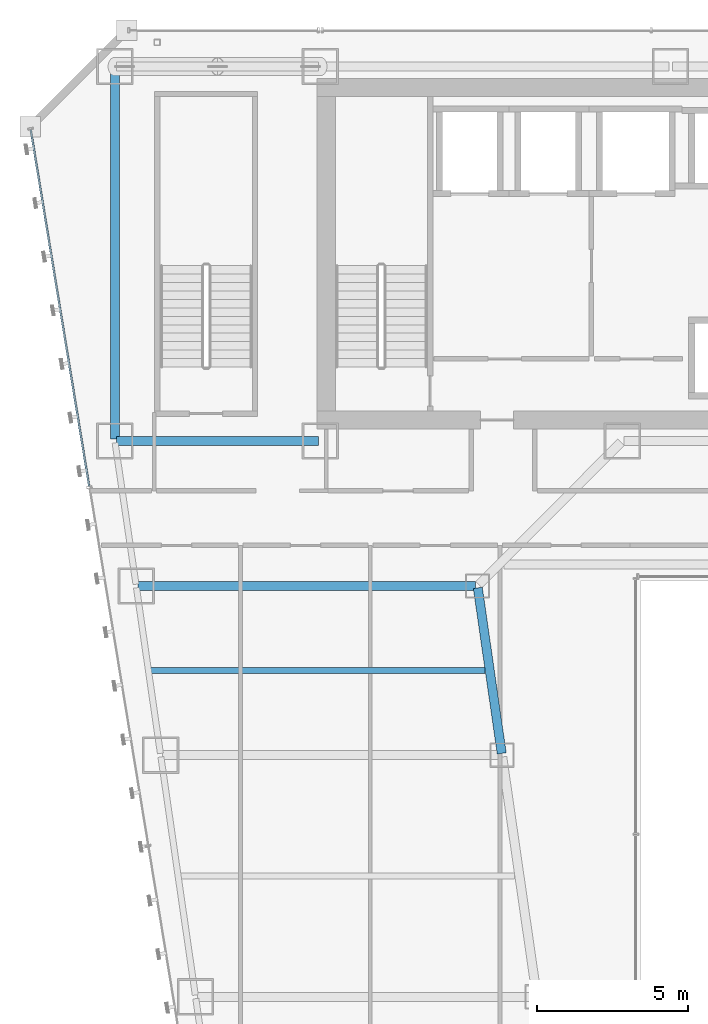
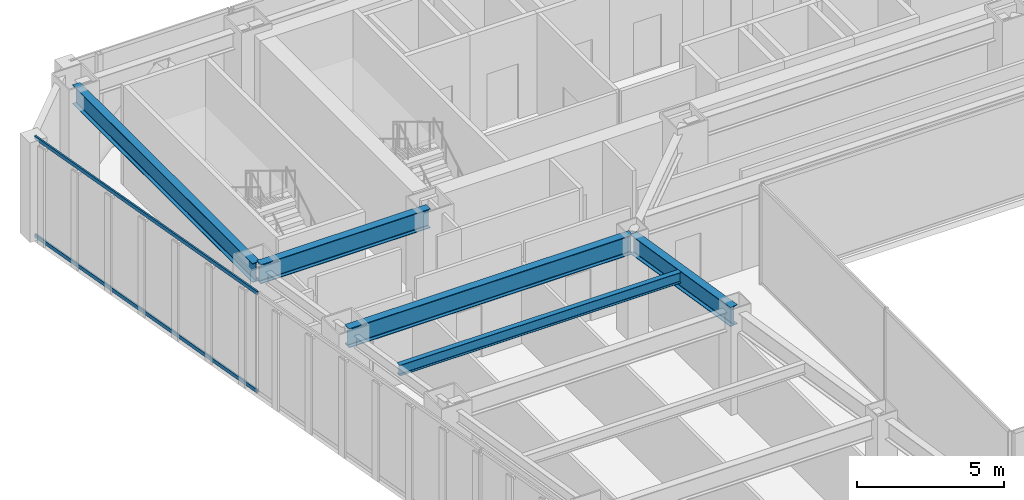
# One storey, part 23 of 47: 5 beams, 2 members, 1 element without a shape of its own.
"""IFC4 building model written with IfcOpenShell, lengths in metres."""

from ifc_helpers import new_model, si_unit, direction, frame, origin, origin_2d, place, context, subcontext, project, spatial, hollow_rectangle, i_section, extrude, material, material_profile, profile_set, type_object, element, aggregate, save


model = new_model("IFC4")

# Units and contexts
model_context = context("Model", 3, precision=1e-05, world=origin(), true_north=direction((0.0, 1.0)))
body_context = subcontext(model_context, "Body", "Model", "MODEL_VIEW")
ifc_project = project(units=[si_unit("LENGTHUNIT", "METRE"), si_unit("AREAUNIT", "SQUARE_METRE"), si_unit("VOLUMEUNIT", "CUBIC_METRE"), si_unit("PLANEANGLEUNIT", "RADIAN"), si_unit("MASSUNIT", "GRAM", prefix="KILO")], contexts=[model_context])

# Site, building, storey
site_placement = place(None, origin())
site = spatial("IfcSite", under=ifc_project, at=site_placement, CompositionType="ELEMENT")
building_placement = place(site_placement, origin())
building = spatial("IfcBuilding", under=site, at=building_placement, Name="Saevonmaru Cultural Tower", CompositionType="ELEMENT")
storey_placement = place(building_placement, frame((0.0, 0.0, 78.0)))
storey = spatial("IfcBuildingStorey", under=building, at=storey_placement, Name="L16", CompositionType="ELEMENT", Elevation=78.0)

# Beams
ifc_material_1 = material(Name="Steel SM420", Category="steel")
ifc_material_profile_1 = material_profile(ifc_material_1, i_section(OverallWidth=0.300048828125, OverallDepth=0.800048828125, WebThickness=0.013916015625, FlangeThickness=0.02587890625, FilletRadius=0.028076171875, at=origin_2d()), Name="H-800x300x14x26")
ifc_profile_set_1 = profile_set([ifc_material_profile_1], Name="Steel SM420")
beam_type_1 = type_object("IfcBeamType", Name="BM-G-H800", PredefinedType="BEAM", material=ifc_profile_set_1)
beam_1_placement = place(storey_placement, frame((6.860107421875, 42.39990234375, 3.75), z_axis=(1.0, 0.0, 0.0), x_axis=(0.0, 1.0, 0.0)))
element("IfcBeam", 1, at=beam_1_placement, inside=storey, type_object=beam_type_1, Name="L16 Core South Girder 1", PredefinedType="BEAM", context=body_context, shape_type="SweptSolid", body=[
    extrude(i_section(OverallWidth=0.300048828125, OverallDepth=0.800048828125, WebThickness=0.013916015625, FlangeThickness=0.02587890625, FilletRadius=0.028076171875, at=origin_2d()), origin(), (0.0, 0.0, 1.0), 6.679931640625),
])
beam_2_placement = place(storey_placement, frame((6.800048828125, 54.739990234375, 3.75), z_axis=(0.0, -1.0, 0.0), x_axis=(1.0, 0.0, 0.0)))
element("IfcBeam", 2, at=beam_2_placement, inside=storey, type_object=beam_type_1, Name="L16 Spine Transverse Girder W", PredefinedType="BEAM", context=body_context, shape_type="SweptSolid", body=[
    extrude(i_section(OverallWidth=0.300048828125, OverallDepth=0.800048828125, WebThickness=0.013916015625, FlangeThickness=0.02587890625, FilletRadius=0.028076171875, at=origin_2d()), origin(), (0.0, 0.0, 1.0), 12.280029296875),
])
beam_3_placement = place(storey_placement, frame((19.6083984375, 32.059326171875, 3.75), z_axis=(-0.142964121327, 0.989727871697, 0.0), x_axis=(-0.989727871697, -0.142964121327, 0.0)))
element("IfcBeam", 3, at=beam_3_placement, inside=storey, type_object=beam_type_1, Name="L16 West Atrium Girder 5", PredefinedType="BEAM", context=body_context, shape_type="SweptSolid", body=[
    extrude(i_section(OverallWidth=0.300048828125, OverallDepth=0.800048828125, WebThickness=0.013916015625, FlangeThickness=0.02587890625, FilletRadius=0.028076171875, at=origin_2d()), origin(), (0.0, 0.0, 1.0), 5.5380859375),
])
beam_4_placement = place(storey_placement, frame((7.568115234375, 37.60009765625, 3.75), z_axis=(1.0, 0.0, 0.0), x_axis=(0.0, 1.0, 0.0)))
element("IfcBeam", 4, at=beam_4_placement, inside=storey, type_object=beam_type_1, Name="L16 West Wing Transverse Girder 6", PredefinedType="BEAM", context=body_context, shape_type="SweptSolid", body=[
    extrude(i_section(OverallWidth=0.300048828125, OverallDepth=0.800048828125, WebThickness=0.013916015625, FlangeThickness=0.02587890625, FilletRadius=0.028076171875, at=origin_2d()), origin(), (0.0, 0.0, 1.0), 11.179931640625),
])
ifc_material_2 = material(Name="Steel SM355", Category="steel")
ifc_material_profile_2 = material_profile(ifc_material_2, i_section(OverallWidth=0.199951171875, OverallDepth=0.449951171875, WebThickness=0.009033203125, FlangeThickness=0.013916015625, FilletRadius=0.01806640625, at=origin_2d()), Name="H-450x200x9x14")
ifc_profile_set_2 = profile_set([ifc_material_profile_2], Name="Steel SM355")
beam_type_2 = type_object("IfcBeamType", Name="BM-J-H450", PredefinedType="JOIST", material=ifc_profile_set_2)
beam_5_placement = place(storey_placement, frame((7.972412109375, 34.800048828125, 3.925048828125), z_axis=(1.0, 0.0, 0.0), x_axis=(0.0, 1.0, 0.0)))
element("IfcBeam", 5, at=beam_5_placement, inside=storey, type_object=beam_type_2, Name="L16 West Wing Floor Joist 5", PredefinedType="JOIST", context=body_context, shape_type="SweptSolid", body=[
    extrude(i_section(OverallWidth=0.199951171875, OverallDepth=0.449951171875, WebThickness=0.009033203125, FlangeThickness=0.013916015625, FilletRadius=0.01806640625, at=origin_2d()), origin(), (0.0, 0.0, 1.0), 11.08203125),
])

# Curtain wall, members
ifc_material_3 = material(Name="Satin Bronze Anodised Aluminium", Category="aluminium")
curtain_wall_type = type_object("IfcCurtainWallType", Name="CW-TYP-A", PredefinedType="NOTDEFINED", material=ifc_material_3)
curtain_wall_placement = place(storey_placement, origin())
curtain_wall = element("IfcCurtainWall", 6, at=curtain_wall_placement, inside=storey, type_object=curtain_wall_type, Name="L16 Unitised Curtain Wall E12", PredefinedType="NOTDEFINED")
ifc_material_profile_3 = material_profile(ifc_material_3, hollow_rectangle(XDim=0.06494140625, YDim=0.14990234375, WallThickness=0.00390625, at=origin_2d()), Name="ALU-TRAN-150x65x4")
ifc_profile_set_3 = profile_set([ifc_material_profile_3], Name="Satin Bronze Anodised Aluminium")
member_type = type_object("IfcMemberType", Name="TR-CW-150x65", PredefinedType="USERDEFINED", material=ifc_profile_set_3)
member_1_placement = place(storey_placement, frame((4.014892578125, 52.708740234375, 0.032470703125), z_axis=(0.161724530373, -0.986835941925, 0.0), x_axis=(0.986835941925, 0.161724530373, 0.0)))
member_1 = element("IfcMember", 7, at=member_1_placement, type_object=member_type, Name="CW-TW-L16-E12 transom 1.1", ObjectType="TRANSOM", PredefinedType="USERDEFINED", context=body_context, shape_type="SweptSolid", body=[
    extrude(hollow_rectangle(XDim=0.06494140625, YDim=0.14990234375, WallThickness=0.00390625, at=origin_2d()), origin(), (0.0, 0.0, 1.0), 11.963623046875),
])
member_2_placement = place(storey_placement, frame((4.014892578125, 52.708740234375, 4.117431640625), z_axis=(0.161724530373, -0.986835941925, 0.0), x_axis=(0.986835941925, 0.161724530373, 0.0)))
member_2 = element("IfcMember", 8, at=member_2_placement, type_object=member_type, Name="CW-TW-L16-E12 transom 1.2", ObjectType="TRANSOM", PredefinedType="USERDEFINED", context=body_context, shape_type="SweptSolid", body=[
    extrude(hollow_rectangle(XDim=0.06494140625, YDim=0.14990234375, WallThickness=0.00390625, at=origin_2d()), origin(), (0.0, 0.0, 1.0), 11.963623046875),
])
aggregate(curtain_wall, [member_1, member_2])

save(model, "model.ifc")
